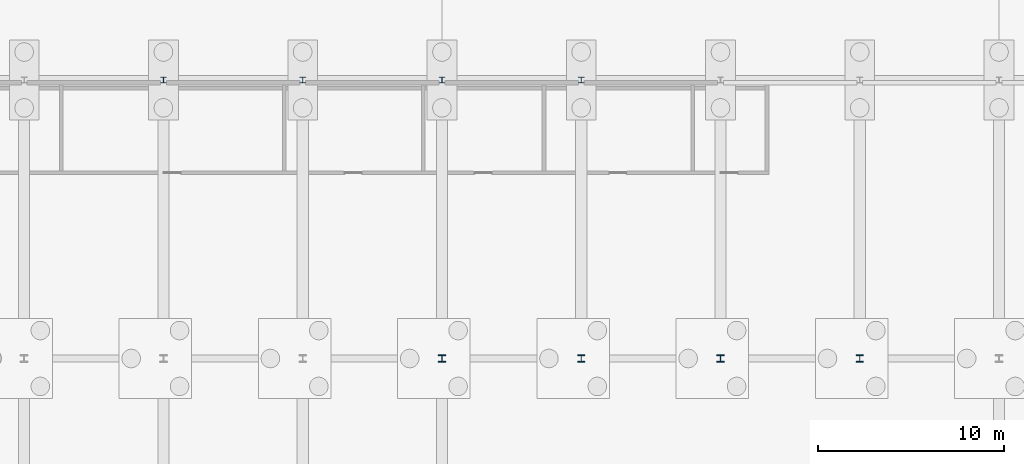
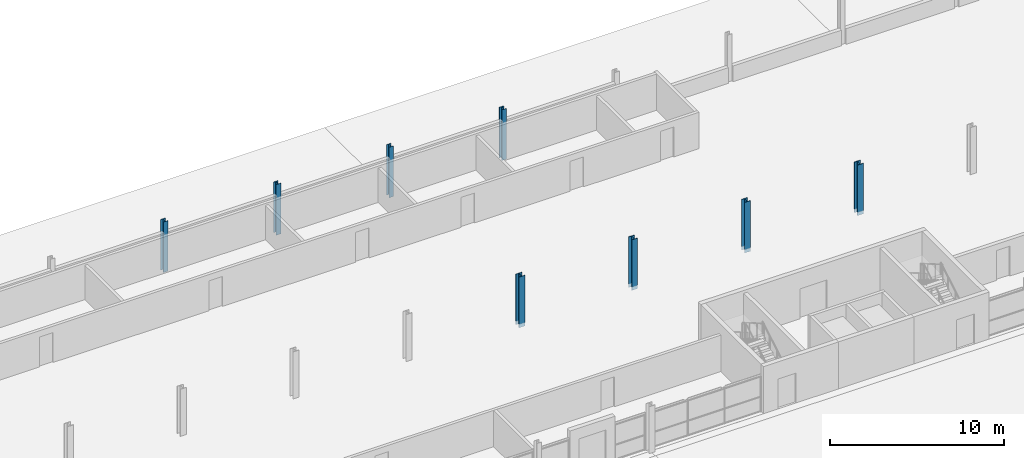
# One storey, part 40 of 130: 8 columns.
"""IFC4 building model written with IfcOpenShell, lengths in metres."""

import ifcopenshell
import ifcopenshell.guid

model = None  # the IFC model being written
_history = None  # IfcOwnerHistory: only IFC2X3 demands one
_inside = {}  # id of a spatial element -> (the spatial element, [elements in it])
_under = {}  # id of a project, library or spatial element -> (it, [spatial elements below it])
_declared = {}  # id of a project -> (the project, [libraries it declares])
_typed = {}  # id of a type object -> (the type object, [elements of that type])
_made_of = {}  # id of a material, layer set ... -> (it, [elements and type objects made of it])


def new_model(schema):
    """Start an empty IFC model of exactly this schema.

    Asked for "IFC4X3", IfcOpenShell would pick the latest addendum, in which some entities
    have other attributes; the version numbers below select the first issue.
    IFC2X3 requires an IfcOwnerHistory on every rooted entity: one is made here for all.
    """
    global model, _history
    if schema == "IFC4X3":
        model = ifcopenshell.file(schema_version=(4, 3, 0, 0))
    else:
        model = ifcopenshell.file(schema=schema)
    _inside.clear()
    _under.clear()
    _declared.clear()
    _typed.clear()
    _made_of.clear()
    _history = None
    if model.schema == "IFC2X3":
        org = make("IfcOrganization", Name="unknown")
        user = make(
            "IfcPersonAndOrganization",
            ThePerson=make("IfcPerson", FamilyName="unknown"),
            TheOrganization=org,
        )
        app = make(
            "IfcApplication",
            ApplicationDeveloper=org,
            Version="unknown",
            ApplicationFullName="unknown",
            ApplicationIdentifier="unknown",
        )
        _history = make(
            "IfcOwnerHistory",
            OwningUser=user,
            OwningApplication=app,
            ChangeAction="ADDED",
            CreationDate=0,
        )
    return model


def make(cls, **values):
    """One entity of the class cls with the attributes given. An attribute that is None is left unset."""
    return model.create_entity(
        cls, **{name: value for name, value in values.items() if value is not None}
    )


def rooted(cls, **values):
    """An entity with a GlobalId (a new one), such as an element, a storey or a relation."""
    return make(cls, GlobalId=ifcopenshell.guid.new(), OwnerHistory=_history, **values)


def si_unit(unit_type, name, prefix=None):
    """IfcSIUnit, for example si_unit("LENGTHUNIT", "METRE", prefix="MILLI")."""
    return make("IfcSIUnit", UnitType=unit_type, Prefix=prefix, Name=name)


def assignment(units):
    """IfcUnitAssignment: the units of a project."""
    return None if units is None else make("IfcUnitAssignment", Units=units)


def point(xyz):
    """IfcCartesianPoint."""
    return None if xyz is None else make("IfcCartesianPoint", Coordinates=xyz)


def direction(xyz):
    """IfcDirection."""
    return None if xyz is None else make("IfcDirection", DirectionRatios=xyz)


def frame(location, z_axis=None, x_axis=None):
    """IfcAxis2Placement3D, a coordinate frame: its origin and axes. An axis left out is left unset."""
    return make(
        "IfcAxis2Placement3D",
        Location=point(location),
        Axis=direction(z_axis),
        RefDirection=direction(x_axis),
    )


def frame_2d(location, x_axis=None):
    """IfcAxis2Placement2D, a coordinate frame in the plane: its origin and x axis."""
    return make(
        "IfcAxis2Placement2D", Location=point(location), RefDirection=direction(x_axis)
    )


def origin():
    """The frame at (0, 0, 0) with its axes left unset."""
    return frame((0.0, 0.0, 0.0))


def origin_2d():
    """The frame at (0, 0) in the plane with its x axis left unset."""
    return frame_2d((0.0, 0.0))


def place(relative_to, where):
    """IfcLocalPlacement: puts the frame where relative to a parent placement (None: the world)."""
    return make(
        "IfcLocalPlacement", PlacementRelTo=relative_to, RelativePlacement=where
    )


def context(
    kind, dimensions, precision=None, world=None, true_north=None, identifier=None
):
    """IfcGeometricRepresentationContext, for example the 3D "Model" context."""
    return make(
        "IfcGeometricRepresentationContext",
        ContextIdentifier=identifier,
        ContextType=kind,
        CoordinateSpaceDimension=dimensions,
        Precision=precision,
        WorldCoordinateSystem=world,
        TrueNorth=true_north,
    )


def subcontext(parent, identifier, kind, view, scale=None):
    """IfcGeometricRepresentationSubContext, for example "Body" below "Model"."""
    return make(
        "IfcGeometricRepresentationSubContext",
        ContextIdentifier=identifier,
        ContextType=kind,
        ParentContext=parent,
        TargetScale=scale,
        TargetView=view,
    )


def project(units=None, contexts=None):
    """IfcProject with its units and contexts."""
    return rooted(
        "IfcProject",
        Name="project",
        RepresentationContexts=contexts,
        UnitsInContext=assignment(units),
    )


def spatial(cls, under=None, at=None, **own):
    """A site, building, storey or space (cls), placed at a placement, below another one or the project."""
    s = rooted(cls, ObjectPlacement=at, **own)
    if under is not None:
        _under.setdefault(under.id(), (under, []))[1].append(s)
    return s


def profile(cls, at=None, kind="AREA", **sizes):
    """A parametric profile (cls). Its sizes go by their IFC names, for example OverallWidth=200.0."""
    return make(cls, ProfileType=kind, Position=at, **sizes)


def i_section(**sizes):
    """IfcIShapeProfileDef."""
    return profile("IfcIShapeProfileDef", **sizes)


def extrude(swept, where, along, depth):
    """IfcExtrudedAreaSolid: the profile swept, set in the frame where, extruded along a direction by depth."""
    return make(
        "IfcExtrudedAreaSolid",
        SweptArea=swept,
        Position=where,
        ExtrudedDirection=direction(along),
        Depth=depth,
    )


def shape(context_of_items, identifier, shape_type, items):
    """IfcShapeRepresentation: the items that make up one representation, for example the "Body"."""
    return make(
        "IfcShapeRepresentation",
        ContextOfItems=context_of_items,
        RepresentationIdentifier=identifier,
        RepresentationType=shape_type,
        Items=items,
    )


def material(Name=None, Category=None):
    """IfcMaterial."""
    return make("IfcMaterial", Name=Name, Category=Category)


def material_profile(
    of_material, cross_section, Name=None, Category=None, Priority=None
):
    """IfcMaterialProfile: a cross section and its material."""
    return make(
        "IfcMaterialProfile",
        Name=Name,
        Material=of_material,
        Profile=cross_section,
        Priority=Priority,
        Category=Category,
    )


def profile_set(profiles, Name=None, composite=None):
    """IfcMaterialProfileSet."""
    return make(
        "IfcMaterialProfileSet",
        Name=Name,
        MaterialProfiles=profiles,
        CompositeProfile=composite,
    )


def made_of(thing, what):
    """Note that an element or type object is made of a material, layer set ...; save() writes the relation."""
    if what is not None:
        _made_of.setdefault(what.id(), (what, []))[1].append(thing)
    return thing


def type_object(cls, material=None, **own):
    """A type object (cls), such as IfcWallType, which elements share."""
    return made_of(rooted(cls, **own), material)


def element(
    cls,
    number,
    at=None,
    inside=None,
    cuts=None,
    type_object=None,
    material=None,
    context=None,
    identifier="Body",
    shape_type=None,
    held_by="IfcProductDefinitionShape",
    body=None,
    shapes=None,
    **own,
):
    """One element of the class cls, such as IfcWall. Its Tag is "e" and its number.

    at: its placement. inside: the storey or other place that contains it. cuts: it is an
    opening in that element (IfcRelVoidsElement). A single representation is given by context,
    identifier, shape_type and body (its items); several are given by shapes. held_by: the class
    of the entity that holds the representations. save() writes the other relations.
    """
    e = rooted(cls, Tag="e%d" % number, ObjectPlacement=at, **own)
    if body is not None:
        shapes = [shape(context, identifier, shape_type, body)]
    if shapes is not None:
        e.Representation = make(held_by, Representations=shapes)
    if inside is not None:
        _inside.setdefault(inside.id(), (inside, []))[1].append(e)
    if cuts is not None:
        rooted(
            "IfcRelVoidsElement", RelatingBuildingElement=cuts, RelatedOpeningElement=e
        )
    if type_object is not None:
        _typed.setdefault(type_object.id(), (type_object, []))[1].append(e)
    return made_of(e, material)


def aggregate(whole, parts):
    """IfcRelAggregates: a whole, such as a stair, and the parts it consists of."""
    return rooted("IfcRelAggregates", RelatingObject=whole, RelatedObjects=parts)


def save(model, path):
    """Write the relations noted so far, then the file.

    IfcRelAggregates (storeys below a building ...), IfcRelContainedInSpatialStructure (elements
    in a storey), IfcRelDefinesByType, IfcRelAssociatesMaterial and IfcRelDeclares: one each for
    every whole, place, type object, material and project.
    """
    for whole, parts in _under.values():
        aggregate(whole, parts)
    for where, things in _inside.values():
        rooted(
            "IfcRelContainedInSpatialStructure",
            RelatedElements=things,
            RelatingStructure=where,
        )
    for kind, things in _typed.values():
        rooted("IfcRelDefinesByType", RelatedObjects=things, RelatingType=kind)
    for what, things in _made_of.values():
        rooted("IfcRelAssociatesMaterial", RelatedObjects=things, RelatingMaterial=what)
    for by, libraries in _declared.values():
        rooted("IfcRelDeclares", RelatingContext=by, RelatedDefinitions=libraries)
    model.write(path)


model = new_model("IFC4")

# Units and contexts
model_context = context("Model", 3, precision=1e-05, world=origin(), true_north=direction((0.0, 1.0)))
body_context = subcontext(model_context, "Body", "Model", "MODEL_VIEW")
ifc_project = project(units=[si_unit("LENGTHUNIT", "METRE"), si_unit("AREAUNIT", "SQUARE_METRE"), si_unit("VOLUMEUNIT", "CUBIC_METRE"), si_unit("PLANEANGLEUNIT", "RADIAN"), si_unit("MASSUNIT", "GRAM", prefix="KILO")], contexts=[model_context])

# Site, building, storey
site_placement = place(None, origin())
site = spatial("IfcSite", under=ifc_project, at=site_placement, CompositionType="ELEMENT")
building_placement = place(site_placement, origin())
building = spatial("IfcBuilding", under=site, at=building_placement, Name="Parallax Yard Mobility Hub", CompositionType="ELEMENT")
storey_placement = place(building_placement, origin())
storey = spatial("IfcBuildingStorey", under=building, at=storey_placement, Name="L00", CompositionType="ELEMENT", Elevation=0.0)

# Columns
ifc_material = material(Name="Steel ASTM A992", Category="steel")
ifc_material_profile_1 = material_profile(ifc_material, i_section(OverallWidth=0.306884765625, OverallDepth=0.318115234375, WebThickness=0.01318359375, FlangeThickness=0.0205078125, FilletRadius=0.01513671875, at=origin_2d()), Name="W310x129")
ifc_profile_set_1 = profile_set([ifc_material_profile_1], Name="Steel ASTM A992")
column_type_1 = type_object("IfcColumnType", Name="W310x129 column", PredefinedType="COLUMN", material=ifc_profile_set_1)
for number, where, z_axis, x_axis, name in (
    (1, (105.0, 142.5, -0.25), (0.0, 0.0, 1.0), (1.0, 0.0, 0.0), "Column C3 level L00 at V/15 of ramped parking decks"),
    (2, (112.5, 142.5, -0.25), (0.0, 0.0, 1.0), (1.0, 0.0, 0.0), "Column C3 level L00 at V/16 of ramped parking decks"),
    (3, (120.0, 142.5, -0.25), (0.0, 0.0, 1.0), (1.0, 0.0, 0.0), "Column C3 level L00 at V/17 of ramped parking decks"),
    (4, (127.5, 142.5, -0.25), (0.0, 0.0, 1.0), (1.0, 0.0, 0.0), "Column C3 level L00 at V/18 of ramped parking decks"),
):
    element("IfcColumn", number, at=place(storey_placement, frame(where, z_axis=z_axis, x_axis=x_axis)), inside=storey, type_object=column_type_1, Name=name, PredefinedType="COLUMN", context=body_context, shape_type="SweptSolid", body=[
        extrude(i_section(OverallWidth=0.306884765625, OverallDepth=0.318115234375, WebThickness=0.01318359375, FlangeThickness=0.0205078125, FilletRadius=0.01513671875, at=origin_2d()), origin(), (0.0, 0.0, 1.0), 3.550048828125),
    ])
ifc_material_profile_2 = material_profile(ifc_material, i_section(OverallWidth=0.39599609375, OverallDepth=0.381103515625, WebThickness=0.018798828125, FlangeThickness=0.0302734375, FilletRadius=0.015380859375, at=origin_2d()), Name="W360x237")
ifc_profile_set_2 = profile_set([ifc_material_profile_2], Name="Steel ASTM A992")
column_type_2 = type_object("IfcColumnType", Name="W360x237 column", PredefinedType="COLUMN", material=ifc_profile_set_2)
for number, where, z_axis, x_axis, name in (
    (5, (120.0, 127.5, -0.25), (0.0, 0.0, 1.0), (1.0, 0.0, 0.0), "Column C10 level L00 at T/17 of ramped parking decks"),
    (6, (127.5, 127.5, -0.25), (0.0, 0.0, 1.0), (1.0, 0.0, 0.0), "Column C10 level L00 at T/18 of ramped parking decks"),
    (7, (135.0, 127.5, -0.25), (0.0, 0.0, 1.0), (1.0, 0.0, 0.0), "Column C10 level L00 at T/19 of ramped parking decks"),
    (8, (142.5, 127.5, -0.25), (0.0, 0.0, 1.0), (1.0, 0.0, 0.0), "Column C10 level L00 at T/20 of ramped parking decks"),
):
    element("IfcColumn", number, at=place(storey_placement, frame(where, z_axis=z_axis, x_axis=x_axis)), inside=storey, type_object=column_type_2, Name=name, PredefinedType="COLUMN", context=body_context, shape_type="SweptSolid", body=[
        extrude(i_section(OverallWidth=0.39599609375, OverallDepth=0.381103515625, WebThickness=0.018798828125, FlangeThickness=0.0302734375, FilletRadius=0.015380859375, at=origin_2d()), origin(), (0.0, 0.0, 1.0), 3.550048828125),
    ])

save(model, "model.ifc")
